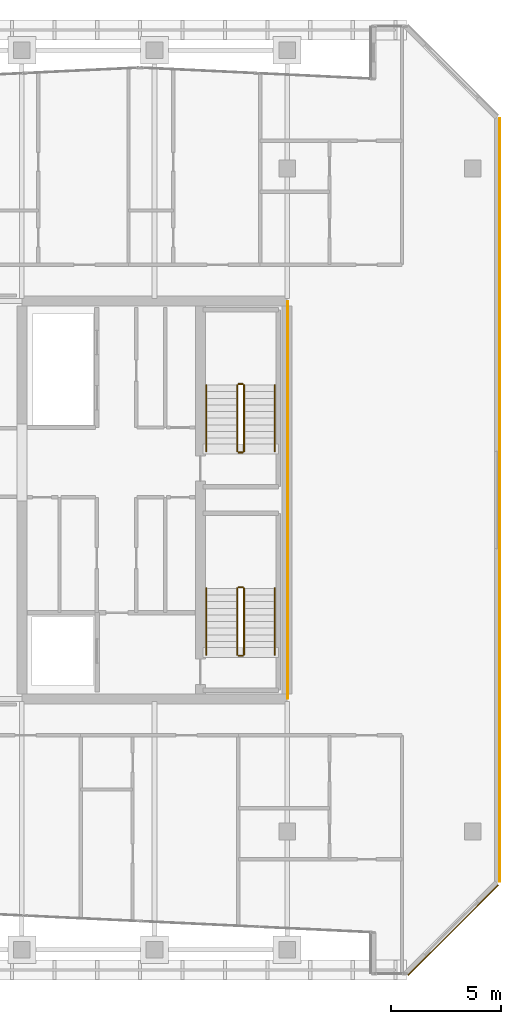
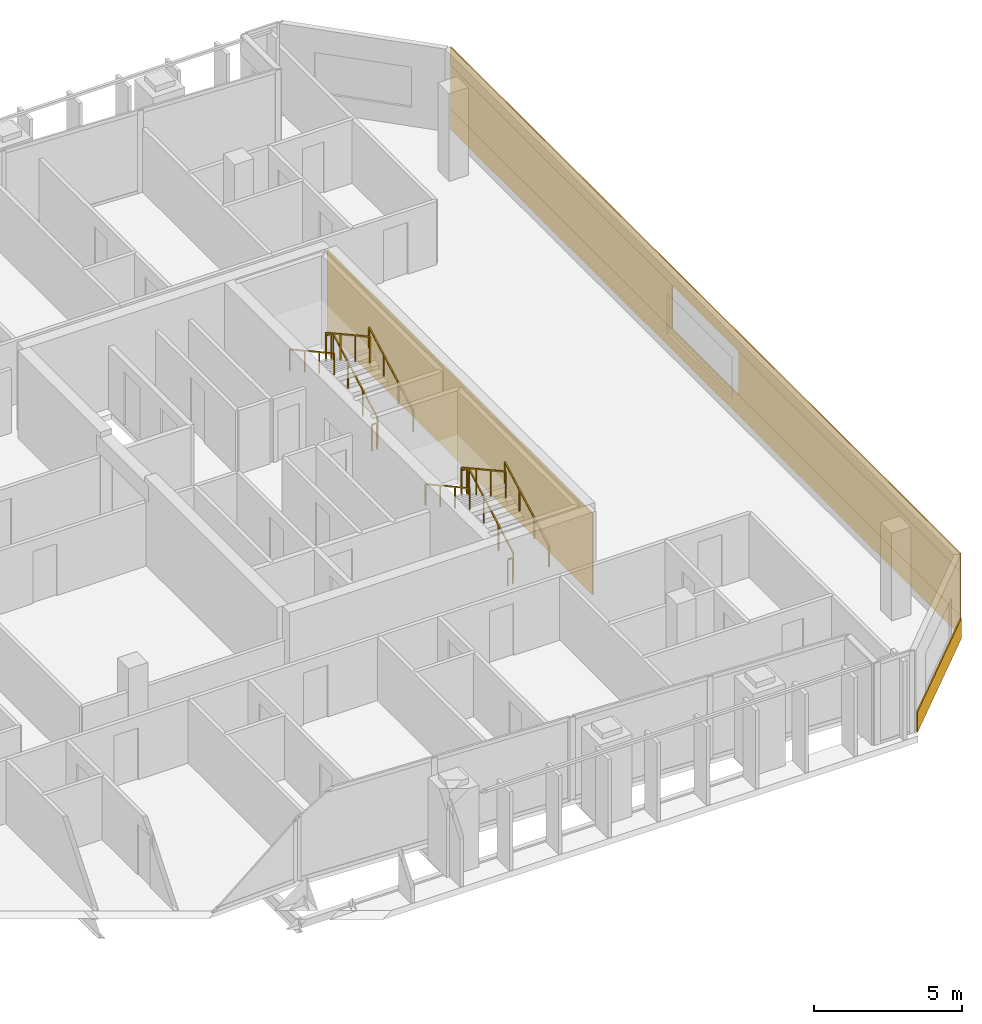
# One storey, part 31 of 32: 12 railings, 6 coverings.
"""IFC4 building model written with IfcOpenShell, lengths in metres."""

import ifcopenshell
import ifcopenshell.guid

model = None  # the IFC model being written
_history = None  # IfcOwnerHistory: only IFC2X3 demands one
_inside = {}  # id of a spatial element -> (the spatial element, [elements in it])
_under = {}  # id of a project, library or spatial element -> (it, [spatial elements below it])
_declared = {}  # id of a project -> (the project, [libraries it declares])
_typed = {}  # id of a type object -> (the type object, [elements of that type])
_made_of = {}  # id of a material, layer set ... -> (it, [elements and type objects made of it])


def new_model(schema):
    """Start an empty IFC model of exactly this schema.

    Asked for "IFC4X3", IfcOpenShell would pick the latest addendum, in which some entities
    have other attributes; the version numbers below select the first issue.
    IFC2X3 requires an IfcOwnerHistory on every rooted entity: one is made here for all.
    """
    global model, _history
    if schema == "IFC4X3":
        model = ifcopenshell.file(schema_version=(4, 3, 0, 0))
    else:
        model = ifcopenshell.file(schema=schema)
    _inside.clear()
    _under.clear()
    _declared.clear()
    _typed.clear()
    _made_of.clear()
    _history = None
    if model.schema == "IFC2X3":
        org = make("IfcOrganization", Name="unknown")
        user = make(
            "IfcPersonAndOrganization",
            ThePerson=make("IfcPerson", FamilyName="unknown"),
            TheOrganization=org,
        )
        app = make(
            "IfcApplication",
            ApplicationDeveloper=org,
            Version="unknown",
            ApplicationFullName="unknown",
            ApplicationIdentifier="unknown",
        )
        _history = make(
            "IfcOwnerHistory",
            OwningUser=user,
            OwningApplication=app,
            ChangeAction="ADDED",
            CreationDate=0,
        )
    return model


def make(cls, **values):
    """One entity of the class cls with the attributes given. An attribute that is None is left unset."""
    return model.create_entity(
        cls, **{name: value for name, value in values.items() if value is not None}
    )


def rooted(cls, **values):
    """An entity with a GlobalId (a new one), such as an element, a storey or a relation."""
    return make(cls, GlobalId=ifcopenshell.guid.new(), OwnerHistory=_history, **values)


def si_unit(unit_type, name, prefix=None):
    """IfcSIUnit, for example si_unit("LENGTHUNIT", "METRE", prefix="MILLI")."""
    return make("IfcSIUnit", UnitType=unit_type, Prefix=prefix, Name=name)


def assignment(units):
    """IfcUnitAssignment: the units of a project."""
    return None if units is None else make("IfcUnitAssignment", Units=units)


def point(xyz):
    """IfcCartesianPoint."""
    return None if xyz is None else make("IfcCartesianPoint", Coordinates=xyz)


def direction(xyz):
    """IfcDirection."""
    return None if xyz is None else make("IfcDirection", DirectionRatios=xyz)


def frame(location, z_axis=None, x_axis=None):
    """IfcAxis2Placement3D, a coordinate frame: its origin and axes. An axis left out is left unset."""
    return make(
        "IfcAxis2Placement3D",
        Location=point(location),
        Axis=direction(z_axis),
        RefDirection=direction(x_axis),
    )


def frame_2d(location, x_axis=None):
    """IfcAxis2Placement2D, a coordinate frame in the plane: its origin and x axis."""
    return make(
        "IfcAxis2Placement2D", Location=point(location), RefDirection=direction(x_axis)
    )


def origin():
    """The frame at (0, 0, 0) with its axes left unset."""
    return frame((0.0, 0.0, 0.0))


def origin_2d():
    """The frame at (0, 0) in the plane with its x axis left unset."""
    return frame_2d((0.0, 0.0))


def place(relative_to, where):
    """IfcLocalPlacement: puts the frame where relative to a parent placement (None: the world)."""
    return make(
        "IfcLocalPlacement", PlacementRelTo=relative_to, RelativePlacement=where
    )


def context(
    kind, dimensions, precision=None, world=None, true_north=None, identifier=None
):
    """IfcGeometricRepresentationContext, for example the 3D "Model" context."""
    return make(
        "IfcGeometricRepresentationContext",
        ContextIdentifier=identifier,
        ContextType=kind,
        CoordinateSpaceDimension=dimensions,
        Precision=precision,
        WorldCoordinateSystem=world,
        TrueNorth=true_north,
    )


def subcontext(parent, identifier, kind, view, scale=None):
    """IfcGeometricRepresentationSubContext, for example "Body" below "Model"."""
    return make(
        "IfcGeometricRepresentationSubContext",
        ContextIdentifier=identifier,
        ContextType=kind,
        ParentContext=parent,
        TargetScale=scale,
        TargetView=view,
    )


def project(units=None, contexts=None):
    """IfcProject with its units and contexts."""
    return rooted(
        "IfcProject",
        Name="project",
        RepresentationContexts=contexts,
        UnitsInContext=assignment(units),
    )


def spatial(cls, under=None, at=None, **own):
    """A site, building, storey or space (cls), placed at a placement, below another one or the project."""
    s = rooted(cls, ObjectPlacement=at, **own)
    if under is not None:
        _under.setdefault(under.id(), (under, []))[1].append(s)
    return s


def profile(cls, at=None, kind="AREA", **sizes):
    """A parametric profile (cls). Its sizes go by their IFC names, for example OverallWidth=200.0."""
    return make(cls, ProfileType=kind, Position=at, **sizes)


def rectangle(**sizes):
    """IfcRectangleProfileDef."""
    return profile("IfcRectangleProfileDef", **sizes)


def extrude(swept, where, along, depth):
    """IfcExtrudedAreaSolid: the profile swept, set in the frame where, extruded along a direction by depth."""
    return make(
        "IfcExtrudedAreaSolid",
        SweptArea=swept,
        Position=where,
        ExtrudedDirection=direction(along),
        Depth=depth,
    )


def shape(context_of_items, identifier, shape_type, items):
    """IfcShapeRepresentation: the items that make up one representation, for example the "Body"."""
    return make(
        "IfcShapeRepresentation",
        ContextOfItems=context_of_items,
        RepresentationIdentifier=identifier,
        RepresentationType=shape_type,
        Items=items,
    )


def material(Name=None, Category=None):
    """IfcMaterial."""
    return make("IfcMaterial", Name=Name, Category=Category)


def layer(
    of_material, thickness, ventilated=None, Name=None, Category=None, Priority=None
):
    """IfcMaterialLayer: one layer of a wall or slab, of a material (None: an air gap)."""
    return make(
        "IfcMaterialLayer",
        Material=of_material,
        LayerThickness=thickness,
        IsVentilated=ventilated,
        Name=Name,
        Category=Category,
        Priority=Priority,
    )


def layer_set(layers, Name=None):
    """IfcMaterialLayerSet."""
    return make("IfcMaterialLayerSet", MaterialLayers=layers, LayerSetName=Name)


def made_of(thing, what):
    """Note that an element or type object is made of a material, layer set ...; save() writes the relation."""
    if what is not None:
        _made_of.setdefault(what.id(), (what, []))[1].append(thing)
    return thing


def type_object(cls, material=None, **own):
    """A type object (cls), such as IfcWallType, which elements share."""
    return made_of(rooted(cls, **own), material)


def element(
    cls,
    number,
    at=None,
    inside=None,
    cuts=None,
    type_object=None,
    material=None,
    context=None,
    identifier="Body",
    shape_type=None,
    held_by="IfcProductDefinitionShape",
    body=None,
    shapes=None,
    **own,
):
    """One element of the class cls, such as IfcWall. Its Tag is "e" and its number.

    at: its placement. inside: the storey or other place that contains it. cuts: it is an
    opening in that element (IfcRelVoidsElement). A single representation is given by context,
    identifier, shape_type and body (its items); several are given by shapes. held_by: the class
    of the entity that holds the representations. save() writes the other relations.
    """
    e = rooted(cls, Tag="e%d" % number, ObjectPlacement=at, **own)
    if body is not None:
        shapes = [shape(context, identifier, shape_type, body)]
    if shapes is not None:
        e.Representation = make(held_by, Representations=shapes)
    if inside is not None:
        _inside.setdefault(inside.id(), (inside, []))[1].append(e)
    if cuts is not None:
        rooted(
            "IfcRelVoidsElement", RelatingBuildingElement=cuts, RelatedOpeningElement=e
        )
    if type_object is not None:
        _typed.setdefault(type_object.id(), (type_object, []))[1].append(e)
    return made_of(e, material)


def aggregate(whole, parts):
    """IfcRelAggregates: a whole, such as a stair, and the parts it consists of."""
    return rooted("IfcRelAggregates", RelatingObject=whole, RelatedObjects=parts)


def save(model, path):
    """Write the relations noted so far, then the file.

    IfcRelAggregates (storeys below a building ...), IfcRelContainedInSpatialStructure (elements
    in a storey), IfcRelDefinesByType, IfcRelAssociatesMaterial and IfcRelDeclares: one each for
    every whole, place, type object, material and project.
    """
    for whole, parts in _under.values():
        aggregate(whole, parts)
    for where, things in _inside.values():
        rooted(
            "IfcRelContainedInSpatialStructure",
            RelatedElements=things,
            RelatingStructure=where,
        )
    for kind, things in _typed.values():
        rooted("IfcRelDefinesByType", RelatedObjects=things, RelatingType=kind)
    for what, things in _made_of.values():
        rooted("IfcRelAssociatesMaterial", RelatedObjects=things, RelatingMaterial=what)
    for by, libraries in _declared.values():
        rooted("IfcRelDeclares", RelatingContext=by, RelatedDefinitions=libraries)
    model.write(path)


model = new_model("IFC4")

# Units and contexts
model_context = context("Model", 3, precision=1e-05, world=origin(), true_north=direction((0.0, 1.0)))
body_context = subcontext(model_context, "Body", "Model", "MODEL_VIEW")
ifc_project = project(units=[si_unit("LENGTHUNIT", "METRE"), si_unit("AREAUNIT", "SQUARE_METRE"), si_unit("VOLUMEUNIT", "CUBIC_METRE"), si_unit("PLANEANGLEUNIT", "RADIAN"), si_unit("MASSUNIT", "GRAM", prefix="KILO")], contexts=[model_context])

# Site, building, storey
site_placement = place(None, origin())
site = spatial("IfcSite", under=ifc_project, at=site_placement, CompositionType="ELEMENT")
building_placement = place(site_placement, origin())
building = spatial("IfcBuilding", under=site, at=building_placement, Name="Tanjung Sevakor Pilgrim Tower", CompositionType="ELEMENT")
storey_placement = place(building_placement, frame((0.0, 0.0, 211.860107421875)))
storey = spatial("IfcBuildingStorey", under=building, at=storey_placement, Name="L59", CompositionType="ELEMENT", Elevation=211.860107421875)

# Coverings
ifc_material_1 = material(Name="Reconstructed Limestone Cladding", Category="masonry")
ifc_layer = layer(ifc_material_1, 0.044921875)
ifc_layer_set = layer_set([ifc_layer], Name="COV-CLAD-LIMESTONE")
covering_type = type_object("IfcCoveringType", Name="COV-CLAD-LIMESTONE", PredefinedType="CLADDING", material=ifc_layer_set)
covering_1_placement = place(storey_placement, frame((97.515869140625, 14.134033203125, 0.009765625), z_axis=(0.0, 0.0, 1.0), x_axis=(0.707106781187, 0.707106781187, 0.0)))
element("IfcCovering", 1, at=covering_1_placement, inside=storey, type_object=covering_type, Name="L59 Warm Limestone Sill Spandrel EW-CHM-L59-MAIN-15-1", PredefinedType="CLADDING", context=body_context, shape_type="SweptSolid", body=[
    extrude(rectangle(XDim=5.7685546875, YDim=0.044921875, at=origin_2d()), origin(), (0.0, 0.0, 1.0), 0.840087890625),
])
covering_2_placement = place(storey_placement, frame((99.62255859375, 33.60009765625, 0.009765625), z_axis=(0.0, 0.0, 1.0), x_axis=(0.0, 1.0, 0.0)))
element("IfcCovering", 2, at=covering_2_placement, inside=storey, type_object=covering_type, Name="L59 Warm Limestone Sill Spandrel EW-L59-MAIN-17-1", PredefinedType="CLADDING", context=body_context, shape_type="SweptSolid", body=[
    extrude(rectangle(XDim=34.52880859375, YDim=0.044921875, at=origin_2d()), origin(), (0.0, 0.0, 1.0), 0.840087890625),
])
covering_3_placement = place(storey_placement, frame((99.62255859375, 33.60009765625, 2.65966796875), z_axis=(0.0, 0.0, 1.0), x_axis=(0.0, 1.0, 0.0)))
element("IfcCovering", 3, at=covering_3_placement, inside=storey, type_object=covering_type, Name="L59 Warm Limestone Cornice Spandrel EW-L59-MAIN-17", PredefinedType="CLADDING", context=body_context, shape_type="SweptSolid", body=[
    extrude(rectangle(XDim=34.56884765625, YDim=0.044921875, at=origin_2d()), origin(), (0.0, 0.0, 1.0), 0.739990234375),
])
for number, where, z_axis, x_axis, name in (
    (4, (99.62255859375, 23.8427734375, 0.849853515625), (0.0, 0.0, 1.0), (0.0, 1.0, 0.0), "L59 Warm Limestone Pier Panel EW-L59-MAIN-17-1"),
    (5, (99.62255859375, 43.357177734375, 0.849853515625), (0.0, 0.0, 1.0), (0.0, 1.0, 0.0), "L59 Warm Limestone Pier Panel EW-L59-MAIN-17-2"),
):
    element("IfcCovering", number, at=place(storey_placement, frame(where, z_axis=z_axis, x_axis=x_axis)), inside=storey, type_object=covering_type, Name=name, PredefinedType="CLADDING", context=body_context, shape_type="SweptSolid", body=[
        extrude(rectangle(XDim=15.014404296875, YDim=0.044921875, at=origin_2d()), origin(), (0.0, 0.0, 1.0), 1.81005859375),
    ])
covering_4_placement = place(storey_placement, frame((90.0224609375, 33.60009765625, 0.019775390625), z_axis=(0.0, 0.0, 1.0), x_axis=(1.0, 0.0, 0.0)))
element("IfcCovering", 6, at=covering_4_placement, inside=storey, type_object=covering_type, Name="L59 Expressed Core Warm Limestone Cladding E", PredefinedType="CLADDING", context=body_context, shape_type="SweptSolid", body=[
    extrude(rectangle(XDim=0.044921875, YDim=18.0, at=origin_2d()), origin(), (0.0, 0.0, 1.0), 3.3701171875),
])

# Railings
ifc_material_2 = material(Name="Steel S355J2", Category="steel")
railing_type_1 = type_object("IfcRailingType", Name="RL-STAIR-GUARD", PredefinedType="GUARDRAIL", material=ifc_material_2)
railing_1_placement = place(storey_placement, frame((88.050048828125, 26.60009765625, 0.164794921875)))
element("IfcRailing", 7, at=railing_1_placement, inside=storey, type_object=railing_type_1, Name="L59 TS-E1 stair guard 1", PredefinedType="GUARDRAIL", context=body_context, shape_type="SweptSolid", body=[
    extrude(rectangle(XDim=0.0479, YDim=0.0479), frame((0.0, 0.0, 1.076171875), z_axis=(0.0, 0.876197842262, 0.481951596342), x_axis=(-1.0, 0.0, 0.0)), (0.0, 0.0, 1.0), 3.423828125),
    extrude(rectangle(XDim=0.042, YDim=0.042), origin(), (0.0, 0.0, 1.0), 1.052001953125),
    extrude(rectangle(XDim=0.042, YDim=0.042), frame((0.0, 1.0, 0.550048828125)), (0.0, 0.0, 1.0), 1.052001953125),
    extrude(rectangle(XDim=0.042, YDim=0.042), frame((0.0, 2.0, 1.10009765625)), (0.0, 0.0, 1.0), 1.052001953125),
    extrude(rectangle(XDim=0.042, YDim=0.042), frame((0.0, 3.0, 1.650146484375)), (0.0, 0.0, 1.0), 1.052001953125),
])
railing_2_placement = place(storey_placement, frame((88.0, 29.64990234375, 1.81494140625)))
element("IfcRailing", 8, at=railing_2_placement, inside=storey, type_object=railing_type_1, Name="L59 TS-E1 stair guard 2", PredefinedType="GUARDRAIL", context=body_context, shape_type="SweptSolid", body=[
    extrude(rectangle(XDim=0.0479, YDim=0.0479), frame((0.0, 0.0, 1.076171875), z_axis=(-1.0, 0.0, 0.0), x_axis=(0.0, -1.0, 0.0)), (0.0, 0.0, 1.0), 0.199951171875),
    extrude(rectangle(XDim=0.042, YDim=0.042), origin(), (0.0, 0.0, 1.0), 1.052001953125),
    extrude(rectangle(XDim=0.042, YDim=0.042), frame((-0.199951171875, 0.0, 0.0)), (0.0, 0.0, 1.0), 1.052001953125),
])
railing_3_placement = place(storey_placement, frame((87.75, 29.60009765625, 1.97998046875)))
element("IfcRailing", 9, at=railing_3_placement, inside=storey, type_object=railing_type_1, Name="L59 TS-E1 stair guard 3", PredefinedType="GUARDRAIL", context=body_context, shape_type="SweptSolid", body=[
    extrude(rectangle(XDim=0.0479, YDim=0.0479), frame((0.0, 0.0, 1.076171875), z_axis=(0.0, -0.876227952683, 0.48189685093), x_axis=(1.0, 0.0, 0.0)), (0.0, 0.0, 1.0), 3.423828125),
    extrude(rectangle(XDim=0.042, YDim=0.042), origin(), (0.0, 0.0, 1.0), 1.052001953125),
    extrude(rectangle(XDim=0.042, YDim=0.042), frame((0.0, -1.0, 0.550048828125)), (0.0, 0.0, 1.0), 1.052001953125),
    extrude(rectangle(XDim=0.042, YDim=0.042), frame((0.0, -2.0, 1.099853515625)), (0.0, 0.0, 1.0), 1.052001953125),
    extrude(rectangle(XDim=0.042, YDim=0.042), frame((0.0, -3.0, 1.64990234375)), (0.0, 0.0, 1.0), 1.052001953125),
])
railing_4_placement = place(storey_placement, frame((88.0, 26.550048828125, 0.0)))
element("IfcRailing", 10, at=railing_4_placement, inside=storey, type_object=railing_type_1, Name="L59 TS-E1 stair guard 4", PredefinedType="GUARDRAIL", context=body_context, shape_type="SweptSolid", body=[
    extrude(rectangle(XDim=0.0479, YDim=0.0479), frame((0.0, 0.0, 1.076171875), z_axis=(-1.0, 0.0, 0.0), x_axis=(0.0, -1.0, 0.0)), (0.0, 0.0, 1.0), 0.199951171875),
    extrude(rectangle(XDim=0.042, YDim=0.042), origin(), (0.0, 0.0, 1.0), 1.052001953125),
    extrude(rectangle(XDim=0.042, YDim=0.042), frame((-0.199951171875, 0.0, 0.0)), (0.0, 0.0, 1.0), 1.052001953125),
])
railing_5_placement = place(storey_placement, frame((88.050048828125, 35.800048828125, 0.164794921875)))
element("IfcRailing", 11, at=railing_5_placement, inside=storey, type_object=railing_type_1, Name="L59 TS-E2 stair guard 1", PredefinedType="GUARDRAIL", context=body_context, shape_type="SweptSolid", body=[
    extrude(rectangle(XDim=0.0479, YDim=0.0479), frame((0.0, 0.0, 1.076171875), z_axis=(0.0, 0.876197842262, 0.481951596342), x_axis=(-1.0, 0.0, 0.0)), (0.0, 0.0, 1.0), 3.423828125),
    extrude(rectangle(XDim=0.042, YDim=0.042), origin(), (0.0, 0.0, 1.0), 1.052001953125),
    extrude(rectangle(XDim=0.042, YDim=0.042), frame((0.0, 1.0, 0.550048828125)), (0.0, 0.0, 1.0), 1.052001953125),
    extrude(rectangle(XDim=0.042, YDim=0.042), frame((0.0, 2.0, 1.10009765625)), (0.0, 0.0, 1.0), 1.052001953125),
    extrude(rectangle(XDim=0.042, YDim=0.042), frame((0.0, 3.0, 1.650146484375)), (0.0, 0.0, 1.0), 1.052001953125),
])
railing_6_placement = place(storey_placement, frame((88.0, 38.85009765625, 1.81494140625)))
element("IfcRailing", 12, at=railing_6_placement, inside=storey, type_object=railing_type_1, Name="L59 TS-E2 stair guard 2", PredefinedType="GUARDRAIL", context=body_context, shape_type="SweptSolid", body=[
    extrude(rectangle(XDim=0.0479, YDim=0.0479), frame((0.0, 0.0, 1.076171875), z_axis=(-1.0, 0.0, 0.0), x_axis=(0.0, -1.0, 0.0)), (0.0, 0.0, 1.0), 0.199951171875),
    extrude(rectangle(XDim=0.042, YDim=0.042), origin(), (0.0, 0.0, 1.0), 1.052001953125),
    extrude(rectangle(XDim=0.042, YDim=0.042), frame((-0.199951171875, 0.0, 0.0)), (0.0, 0.0, 1.0), 1.052001953125),
])
railing_7_placement = place(storey_placement, frame((87.75, 38.800048828125, 1.97998046875)))
element("IfcRailing", 13, at=railing_7_placement, inside=storey, type_object=railing_type_1, Name="L59 TS-E2 stair guard 3", PredefinedType="GUARDRAIL", context=body_context, shape_type="SweptSolid", body=[
    extrude(rectangle(XDim=0.0479, YDim=0.0479), frame((0.0, 0.0, 1.076171875), z_axis=(0.0, -0.876227952683, 0.48189685093), x_axis=(1.0, 0.0, 0.0)), (0.0, 0.0, 1.0), 3.423828125),
    extrude(rectangle(XDim=0.042, YDim=0.042), origin(), (0.0, 0.0, 1.0), 1.052001953125),
    extrude(rectangle(XDim=0.042, YDim=0.042), frame((0.0, -1.0, 0.550048828125)), (0.0, 0.0, 1.0), 1.052001953125),
    extrude(rectangle(XDim=0.042, YDim=0.042), frame((0.0, -2.0, 1.099853515625)), (0.0, 0.0, 1.0), 1.052001953125),
    extrude(rectangle(XDim=0.042, YDim=0.042), frame((0.0, -3.0, 1.64990234375)), (0.0, 0.0, 1.0), 1.052001953125),
])
railing_8_placement = place(storey_placement, frame((88.0, 35.75, 0.0)))
element("IfcRailing", 14, at=railing_8_placement, inside=storey, type_object=railing_type_1, Name="L59 TS-E2 stair guard 4", PredefinedType="GUARDRAIL", context=body_context, shape_type="SweptSolid", body=[
    extrude(rectangle(XDim=0.0479, YDim=0.0479), frame((0.0, 0.0, 1.076171875), z_axis=(-1.0, 0.0, 0.0), x_axis=(0.0, -1.0, 0.0)), (0.0, 0.0, 1.0), 0.199951171875),
    extrude(rectangle(XDim=0.042, YDim=0.042), origin(), (0.0, 0.0, 1.0), 1.052001953125),
    extrude(rectangle(XDim=0.042, YDim=0.042), frame((-0.199951171875, 0.0, 0.0)), (0.0, 0.0, 1.0), 1.052001953125),
])
ifc_material_3 = material(Name="Steel S355J2", Category="steel")
railing_type_2 = type_object("IfcRailingType", Name="RL-STAIR-HAND", PredefinedType="HANDRAIL", material=ifc_material_3)
railing_9_placement = place(storey_placement, frame((89.449951171875, 26.60009765625, 0.164794921875)))
element("IfcRailing", 15, at=railing_9_placement, inside=storey, type_object=railing_type_2, Name="L59 TS-E1 stair handrail 1", PredefinedType="HANDRAIL", context=body_context, shape_type="SweptSolid", body=[
    extrude(rectangle(XDim=0.0479, YDim=0.0479), frame((0.0, 0.0, 0.8759765625), z_axis=(0.0, 0.876197842262, 0.481951596342), x_axis=(-1.0, 0.0, 0.0)), (0.0, 0.0, 1.0), 3.423828125),
    extrude(rectangle(XDim=0.042, YDim=0.042), origin(), (0.0, 0.0, 1.0), 0.851806640625),
    extrude(rectangle(XDim=0.042, YDim=0.042), frame((0.0, 1.0, 0.550048828125)), (0.0, 0.0, 1.0), 0.851806640625),
    extrude(rectangle(XDim=0.042, YDim=0.042), frame((0.0, 2.0, 1.10009765625)), (0.0, 0.0, 1.0), 0.851806640625),
    extrude(rectangle(XDim=0.042, YDim=0.042), frame((0.0, 3.0, 1.650146484375)), (0.0, 0.0, 1.0), 0.851806640625),
])
railing_10_placement = place(storey_placement, frame((86.35009765625, 29.60009765625, 1.97998046875)))
element("IfcRailing", 16, at=railing_10_placement, inside=storey, type_object=railing_type_2, Name="L59 TS-E1 stair handrail 2", PredefinedType="HANDRAIL", context=body_context, shape_type="SweptSolid", body=[
    extrude(rectangle(XDim=0.0479, YDim=0.0479), frame((0.0, 0.0, 0.8759765625), z_axis=(0.0, -0.876227952683, 0.48189685093), x_axis=(1.0, 0.0, 0.0)), (0.0, 0.0, 1.0), 3.423828125),
    extrude(rectangle(XDim=0.042, YDim=0.042), origin(), (0.0, 0.0, 1.0), 0.851806640625),
    extrude(rectangle(XDim=0.042, YDim=0.042), frame((0.0, -1.0, 0.550048828125)), (0.0, 0.0, 1.0), 0.851806640625),
    extrude(rectangle(XDim=0.042, YDim=0.042), frame((0.0, -2.0, 1.099853515625)), (0.0, 0.0, 1.0), 0.851806640625),
    extrude(rectangle(XDim=0.042, YDim=0.042), frame((0.0, -3.0, 1.64990234375)), (0.0, 0.0, 1.0), 0.851806640625),
])
railing_11_placement = place(storey_placement, frame((89.449951171875, 35.800048828125, 0.164794921875)))
element("IfcRailing", 17, at=railing_11_placement, inside=storey, type_object=railing_type_2, Name="L59 TS-E2 stair handrail 1", PredefinedType="HANDRAIL", context=body_context, shape_type="SweptSolid", body=[
    extrude(rectangle(XDim=0.0479, YDim=0.0479), frame((0.0, 0.0, 0.8759765625), z_axis=(0.0, 0.876197842262, 0.481951596342), x_axis=(-1.0, 0.0, 0.0)), (0.0, 0.0, 1.0), 3.423828125),
    extrude(rectangle(XDim=0.042, YDim=0.042), origin(), (0.0, 0.0, 1.0), 0.851806640625),
    extrude(rectangle(XDim=0.042, YDim=0.042), frame((0.0, 1.0, 0.550048828125)), (0.0, 0.0, 1.0), 0.851806640625),
    extrude(rectangle(XDim=0.042, YDim=0.042), frame((0.0, 2.0, 1.10009765625)), (0.0, 0.0, 1.0), 0.851806640625),
    extrude(rectangle(XDim=0.042, YDim=0.042), frame((0.0, 3.0, 1.650146484375)), (0.0, 0.0, 1.0), 0.851806640625),
])
railing_12_placement = place(storey_placement, frame((86.35009765625, 38.800048828125, 1.97998046875)))
element("IfcRailing", 18, at=railing_12_placement, inside=storey, type_object=railing_type_2, Name="L59 TS-E2 stair handrail 2", PredefinedType="HANDRAIL", context=body_context, shape_type="SweptSolid", body=[
    extrude(rectangle(XDim=0.0479, YDim=0.0479), frame((0.0, 0.0, 0.8759765625), z_axis=(0.0, -0.876227952683, 0.48189685093), x_axis=(1.0, 0.0, 0.0)), (0.0, 0.0, 1.0), 3.423828125),
    extrude(rectangle(XDim=0.042, YDim=0.042), origin(), (0.0, 0.0, 1.0), 0.851806640625),
    extrude(rectangle(XDim=0.042, YDim=0.042), frame((0.0, -1.0, 0.550048828125)), (0.0, 0.0, 1.0), 0.851806640625),
    extrude(rectangle(XDim=0.042, YDim=0.042), frame((0.0, -2.0, 1.099853515625)), (0.0, 0.0, 1.0), 0.851806640625),
    extrude(rectangle(XDim=0.042, YDim=0.042), frame((0.0, -3.0, 1.64990234375)), (0.0, 0.0, 1.0), 0.851806640625),
])

save(model, "model.ifc")
